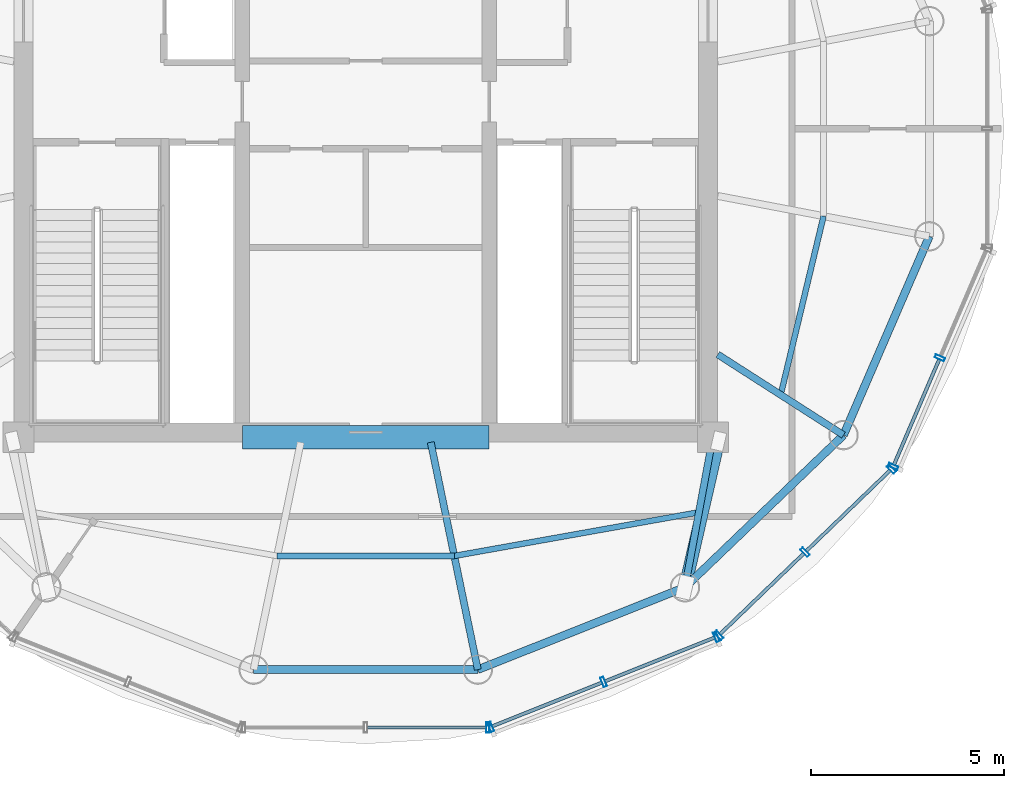
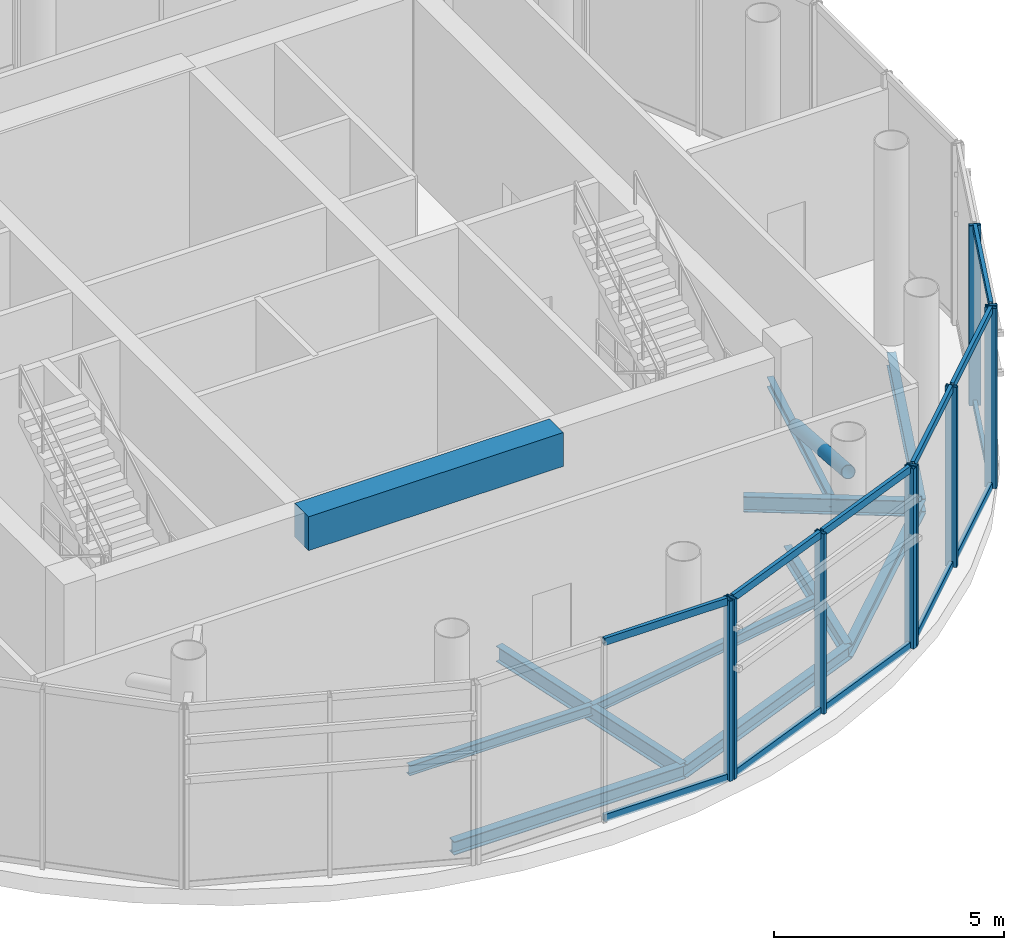
# One storey, part 4 of 14: 22 members, 11 beams, 4 elements without a shape of their own.
"""IFC4 building model written with IfcOpenShell, lengths in metres."""

from ifc_helpers import new_model, si_unit, direction, frame, origin, origin_2d, place, context, subcontext, project, spatial, rectangle, hollow_rectangle, hollow_circle, i_section, extrude, source, transform, mapped, material, material_profile, profile_set, type_object, element, aggregate, save


model = new_model("IFC4")

# Units and contexts
model_context = context("Model", 3, precision=1e-05, world=origin(), true_north=direction((-0.2419218956, 0.970295726276)))
body_context = subcontext(model_context, "Body", "Model", "MODEL_VIEW")
ifc_project = project(units=[si_unit("LENGTHUNIT", "METRE"), si_unit("AREAUNIT", "SQUARE_METRE"), si_unit("VOLUMEUNIT", "CUBIC_METRE"), si_unit("PLANEANGLEUNIT", "RADIAN"), si_unit("MASSUNIT", "GRAM", prefix="KILO")], contexts=[model_context])

# Site, building, storey
site_placement = place(None, origin())
site = spatial("IfcSite", under=ifc_project, at=site_placement, CompositionType="ELEMENT")
building_placement = place(site_placement, origin())
building = spatial("IfcBuilding", under=site, at=building_placement, Name="Cobrevalo Terracotta Tower", CompositionType="ELEMENT")
storey_placement = place(building_placement, frame((0.0, 0.0, 326.89990234375)))
storey = spatial("IfcBuildingStorey", under=building, at=storey_placement, Name="L84", CompositionType="ELEMENT", Elevation=326.89990234375)

# Beams
ifc_material_1 = material(Name="Concrete C60", Category="concrete")
ifc_material_profile_1 = material_profile(ifc_material_1, rectangle(XDim=0.60009765625, YDim=0.89990234375, at=origin_2d()), Name="RC CB 600x900")
ifc_profile_set_1 = profile_set([ifc_material_profile_1], Name="Concrete C60")
beam_type_1 = type_object("IfcBeamType", Name="Structural Beam RC CB 600x900 (Concrete C60)", PredefinedType="BEAM", material=ifc_profile_set_1)
beam_1_placement = place(storey_placement, frame((34.800048828125, 18.800048828125, 4.330078125), z_axis=(1.0, 0.0, 0.0), x_axis=(0.0, 1.0, 0.0)))
element("IfcBeam", 1, at=beam_1_placement, inside=storey, type_object=beam_type_1, Name="L84 core coupling beam 1", PredefinedType="BEAM", context=body_context, shape_type="SweptSolid", body=[
    extrude(rectangle(XDim=0.60009765625, YDim=0.89990234375, at=origin_2d()), origin(), (0.0, 0.0, 1.0), 6.39990234375),
])
ifc_material_2 = material(Name="Steel S355", Category="steel")
ifc_material_profile_2 = material_profile(ifc_material_2, i_section(OverallWidth=0.179931640625, OverallDepth=0.4130859375, WebThickness=0.009765625, FlangeThickness=0.01611328125, at=origin_2d()), Name="W 410x75")
ifc_profile_set_2 = profile_set([ifc_material_profile_2], Name="Steel S355")
beam_type_2 = type_object("IfcBeamType", Name="Structural Beam W 410x75 (Steel S355)", PredefinedType="BEAM", material=ifc_profile_set_2)
beam_2_placement = place(storey_placement, frame((40.90673828125, 12.774658203125, -0.62646484375), z_axis=(-0.202919370173, 0.979195449953, 0.0), x_axis=(-0.979195449953, -0.202919370173, 0.0)))
element("IfcBeam", 2, at=beam_2_placement, inside=storey, type_object=beam_type_2, Name="L84 radial floor girder 13", PredefinedType="BEAM", context=body_context, shape_type="SweptSolid", body=[
    extrude(i_section(OverallWidth=0.179931640625, OverallDepth=0.4130859375, WebThickness=0.009765625, FlangeThickness=0.01611328125, at=origin_2d()), origin(), (0.0, 0.0, 1.0), 6.0205078125),
])
beam_3_placement = place(storey_placement, frame((46.278076171875, 14.909912109375, -0.62646484375), z_axis=(0.182462670706, 0.983212781548, 0.0), x_axis=(-0.983212781548, 0.182462670706, 0.0)))
element("IfcBeam", 3, at=beam_3_placement, inside=storey, type_object=beam_type_2, Name="L84 radial floor girder 14", PredefinedType="BEAM", context=body_context, shape_type="SweptSolid", body=[
    extrude(i_section(OverallWidth=0.179931640625, OverallDepth=0.4130859375, WebThickness=0.009765625, FlangeThickness=0.01611328125, at=origin_2d()), origin(), (0.0, 0.0, 1.0), 3.95654296875),
])
beam_4_placement = place(storey_placement, frame((50.388916015625, 18.855224609375, -0.62646484375), z_axis=(-0.841794646381, 0.539797900444, 0.0), x_axis=(-0.539797900444, -0.841794646381, 0.0)))
element("IfcBeam", 4, at=beam_4_placement, inside=storey, type_object=beam_type_2, Name="L84 radial floor girder 15", PredefinedType="BEAM", context=body_context, shape_type="SweptSolid", body=[
    extrude(i_section(OverallWidth=0.179931640625, OverallDepth=0.4130859375, WebThickness=0.009765625, FlangeThickness=0.01611328125, at=origin_2d()), origin(), (0.0, 0.0, 1.0), 3.87158203125),
])
ifc_material_profile_3 = material_profile(ifc_material_2, i_section(OverallWidth=0.14794921875, OverallDepth=0.26611328125, WebThickness=0.007568359375, FlangeThickness=0.012939453125, at=origin_2d()), Name="W 250x44.8")
ifc_profile_set_3 = profile_set([ifc_material_profile_3], Name="Steel S355")
beam_type_3 = type_object("IfcBeamType", Name="Structural Joist W 250x44.8 (Steel S355)", PredefinedType="JOIST", material=ifc_profile_set_3)
beam_5_placement = place(storey_placement, frame((35.7041015625, 15.722412109375, -0.552978515625), z_axis=(1.0, 0.0, 0.0), x_axis=(0.0, 1.0, 0.0)))
element("IfcBeam", 5, at=beam_5_placement, inside=storey, type_object=beam_type_3, Name="L84 circumferential secondary floor joist 12", PredefinedType="JOIST", context=body_context, shape_type="SweptSolid", body=[
    extrude(i_section(OverallWidth=0.14794921875, OverallDepth=0.26611328125, WebThickness=0.007568359375, FlangeThickness=0.012939453125, at=origin_2d()), origin(), (0.0, 0.0, 1.0), 4.591796875),
])
beam_6_placement = place(storey_placement, frame((40.2958984375, 15.722412109375, -0.552978515625), z_axis=(0.984430619707, 0.175773590117, 0.0), x_axis=(-0.175773590117, 0.984430619707, 0.0)))
element("IfcBeam", 6, at=beam_6_placement, inside=storey, type_object=beam_type_3, Name="L84 circumferential secondary floor joist 13", PredefinedType="JOIST", context=body_context, shape_type="SweptSolid", body=[
    extrude(i_section(OverallWidth=0.14794921875, OverallDepth=0.26611328125, WebThickness=0.007568359375, FlangeThickness=0.012939453125, at=origin_2d()), origin(), (0.0, 0.0, 1.0), 6.443359375),
])
beam_7_placement = place(storey_placement, frame((48.759521484375, 19.900146484375, -0.552978515625), z_axis=(0.233423333819, 0.972375209078, 0.0), x_axis=(-0.972375209078, 0.233423333819, 0.0)))
element("IfcBeam", 7, at=beam_7_placement, inside=storey, type_object=beam_type_3, Name="L84 circumferential secondary floor joist 15", PredefinedType="JOIST", context=body_context, shape_type="SweptSolid", body=[
    extrude(i_section(OverallWidth=0.14794921875, OverallDepth=0.26611328125, WebThickness=0.007568359375, FlangeThickness=0.012939453125, at=origin_2d()), origin(), (0.0, 0.0, 1.0), 4.76513671875),
])
ifc_material_profile_4 = material_profile(ifc_material_2, i_section(OverallWidth=0.205078125, OverallDepth=0.35400390625, WebThickness=0.009521484375, FlangeThickness=0.016845703125, at=origin_2d()), Name="W 360x79")
ifc_profile_set_4 = profile_set([ifc_material_profile_4], Name="Steel S355")
beam_type_4 = type_object("IfcBeamType", Name="Structural Spandrel W 360x79 (Steel S355)", PredefinedType="SPANDREL", material=ifc_profile_set_4)
beam_8_placement = place(storey_placement, frame((35.09326171875, 12.774658203125, -0.596923828125), z_axis=(1.0, 0.0, 0.0), x_axis=(0.0, 1.0, 0.0)))
element("IfcBeam", 8, at=beam_8_placement, inside=storey, type_object=beam_type_4, Name="L84 perimeter ring spandrel 12", PredefinedType="SPANDREL", context=body_context, shape_type="SweptSolid", body=[
    extrude(i_section(OverallWidth=0.205078125, OverallDepth=0.35400390625, WebThickness=0.009521484375, FlangeThickness=0.016845703125, at=origin_2d()), origin(), (0.0, 0.0, 1.0), 5.8134765625),
])
beam_9_placement = place(storey_placement, frame((40.90673828125, 12.774658203125, -0.596923828125), z_axis=(0.929266894942, 0.369409038824, 0.0), x_axis=(-0.369409038824, 0.929266894942, 0.0)))
element("IfcBeam", 9, at=beam_9_placement, inside=storey, type_object=beam_type_4, Name="L84 perimeter ring spandrel 13", PredefinedType="SPANDREL", context=body_context, shape_type="SweptSolid", body=[
    extrude(i_section(OverallWidth=0.205078125, OverallDepth=0.35400390625, WebThickness=0.009521484375, FlangeThickness=0.016845703125, at=origin_2d()), origin(), (0.0, 0.0, 1.0), 5.7802734375),
])
beam_10_placement = place(storey_placement, frame((46.278076171875, 14.909912109375, -0.596923828125), z_axis=(0.72148321486, 0.69243192494, 0.0), x_axis=(-0.69243192494, 0.72148321486, 0.0)))
element("IfcBeam", 10, at=beam_10_placement, inside=storey, type_object=beam_type_4, Name="L84 perimeter ring spandrel 14", PredefinedType="SPANDREL", context=body_context, shape_type="SweptSolid", body=[
    extrude(i_section(OverallWidth=0.205078125, OverallDepth=0.35400390625, WebThickness=0.009521484375, FlangeThickness=0.016845703125, at=origin_2d()), origin(), (0.0, 0.0, 1.0), 5.69775390625),
])
beam_11_placement = place(storey_placement, frame((50.388916015625, 18.855224609375, -0.596923828125), z_axis=(0.396258594602, 0.918138947112, 0.0), x_axis=(-0.918138947112, 0.396258594602, 0.0)))
element("IfcBeam", 11, at=beam_11_placement, inside=storey, type_object=beam_type_4, Name="L84 perimeter ring spandrel 15", PredefinedType="SPANDREL", context=body_context, shape_type="SweptSolid", body=[
    extrude(i_section(OverallWidth=0.205078125, OverallDepth=0.35400390625, WebThickness=0.009521484375, FlangeThickness=0.016845703125, at=origin_2d()), origin(), (0.0, 0.0, 1.0), 5.61474609375),
])

# Member
ifc_material_profile_5 = material_profile(ifc_material_2, hollow_circle(Radius=0.162109375, WallThickness=0.013916015625, at=origin_2d()), Name="CHS 324x14")
ifc_profile_set_5 = profile_set([ifc_material_profile_5], Name="Steel S355")
member_type_1 = type_object("IfcMemberType", Name="Steel Brace CHS 324x14 (Steel S355)", PredefinedType="BRACE", material=ifc_profile_set_5)
shared_shape_1 = source(origin(), body_context, "Body", "SweptSolid", [
    extrude(hollow_circle(Radius=0.162109375, WallThickness=0.013916015625, at=origin_2d()), origin(), (0.0, 0.0, 1.0), 4.126708984375),
])
member_1_placement = place(storey_placement, frame((47.14990234375, 18.699951171875, 2.75), z_axis=(-0.211267372013, -0.918430322917, 0.334442580227), x_axis=(0.974548603832, -0.224176311794, 0.0)))
element("IfcMember", 12, at=member_1_placement, inside=storey, type_object=member_type_1, Name="L84 CROWN FRAME radial brace 04", PredefinedType="BRACE", context=body_context, shape_type="MappedRepresentation", body=[
    mapped(shared_shape_1, transform((0.0, 0.0, 0.0), scale=1.0)),
])

# Curtain wall, member
ifc_material_3 = material(Name="Anodized aluminium", Category="aluminium")
curtain_wall_type = type_object("IfcCurtainWallType", Name="Faceted glass-point crown structural glazing system CW-CR", PredefinedType="NOTDEFINED", material=ifc_material_3)
curtain_wall_1_placement = place(storey_placement, origin())
curtain_wall_1 = element("IfcCurtainWall", 13, at=curtain_wall_1_placement, inside=storey, type_object=curtain_wall_type, Name="L84 curtain wall CW-CRN-L84-S12", PredefinedType="NOTDEFINED")
ifc_material_profile_6 = material_profile(ifc_material_3, hollow_rectangle(XDim=0.090087890625, YDim=0.260009765625, WallThickness=0.006103515625, at=origin_2d()), Name="CWM 90x260")
ifc_profile_set_6 = profile_set([ifc_material_profile_6], Name="Anodized aluminium")
member_type_2 = type_object("IfcMemberType", Name="Crown structural glass mullion 90x260", PredefinedType="MULLION", material=ifc_profile_set_6)
shared_shape_2 = source(origin(), body_context, "Body", "SweptSolid", [
    extrude(hollow_rectangle(XDim=0.090087890625, YDim=0.260009765625, WallThickness=0.006103515625, at=origin_2d()), origin(), (0.0, 0.0, 1.0), 4.780029296875),
])
member_2_placement = place(storey_placement, frame((41.165283203125, 11.274169921875, 0.0), z_axis=(0.0, 0.0, 1.0), x_axis=(1.0, 0.0, 0.0)))
member_2 = element("IfcMember", 14, at=member_2_placement, type_object=member_type_2, Name="CW-CRN-L84-S12 vertical mullion 03", PredefinedType="MULLION", context=body_context, shape_type="MappedRepresentation", body=[
    mapped(shared_shape_2, transform((0.0, 0.0, 0.0), scale=1.0)),
])

# Curtain wall, members
curtain_wall_2_placement = place(storey_placement, origin())
curtain_wall_2 = element("IfcCurtainWall", 15, at=curtain_wall_2_placement, inside=storey, type_object=curtain_wall_type, Name="L84 curtain wall CW-CRN-L84-S13", PredefinedType="NOTDEFINED")
member_3_placement = place(storey_placement, frame((41.242431640625, 11.2890625, 0.0), z_axis=(0.0, 0.0, 1.0), x_axis=(0.928770743095, 0.370654700187, 0.0)))
member_3 = element("IfcMember", 16, at=member_3_placement, type_object=member_type_2, Name="CW-CRN-L84-S13 vertical mullion 01", PredefinedType="MULLION", context=body_context, shape_type="MappedRepresentation", body=[
    mapped(shared_shape_2, transform((0.0, 0.0, 0.0), scale=1.0)),
])
member_4_placement = place(storey_placement, frame((44.166748046875, 12.4560546875, 0.0), z_axis=(0.0, 0.0, 1.0), x_axis=(0.928770743095, 0.370654700187, 0.0)))
member_4 = element("IfcMember", 17, at=member_4_placement, type_object=member_type_2, Name="CW-CRN-L84-S13 vertical mullion 02", PredefinedType="MULLION", context=body_context, shape_type="MappedRepresentation", body=[
    mapped(shared_shape_2, transform((0.0, 0.0, 0.0), scale=1.0)),
])
member_5_placement = place(storey_placement, frame((47.0908203125, 13.623046875, 0.0), z_axis=(0.0, 0.0, 1.0), x_axis=(0.928770743095, 0.370654700187, 0.0)))
member_5 = element("IfcMember", 18, at=member_5_placement, type_object=member_type_2, Name="CW-CRN-L84-S13 vertical mullion 03", PredefinedType="MULLION", context=body_context, shape_type="MappedRepresentation", body=[
    mapped(shared_shape_2, transform((0.0, 0.0, 0.0), scale=1.0)),
])

curtain_wall_3_placement = place(storey_placement, origin())
curtain_wall_3 = element("IfcCurtainWall", 19, at=curtain_wall_3_placement, inside=storey, type_object=curtain_wall_type, Name="L84 curtain wall CW-CRN-L84-S14", PredefinedType="NOTDEFINED")
member_6_placement = place(storey_placement, frame((47.15673828125, 13.66552734375, 0.0), z_axis=(0.0, 0.0, 1.0), x_axis=(0.72013951191, 0.693829289801, 0.0)))
member_6 = element("IfcMember", 20, at=member_6_placement, type_object=member_type_2, Name="CW-CRN-L84-S14 vertical mullion 01", PredefinedType="MULLION", context=body_context, shape_type="MappedRepresentation", body=[
    mapped(shared_shape_2, transform((0.0, 0.0, 0.0), scale=1.0)),
])
member_7_placement = place(storey_placement, frame((49.39453125, 15.821533203125, 0.0), z_axis=(0.0, 0.0, 1.0), x_axis=(0.72013951191, 0.693829289801, 0.0)))
member_7 = element("IfcMember", 21, at=member_7_placement, type_object=member_type_2, Name="CW-CRN-L84-S14 vertical mullion 02", PredefinedType="MULLION", context=body_context, shape_type="MappedRepresentation", body=[
    mapped(shared_shape_2, transform((0.0, 0.0, 0.0), scale=1.0)),
])
member_8_placement = place(storey_placement, frame((51.63232421875, 17.9775390625, 0.0), z_axis=(0.0, 0.0, 1.0), x_axis=(0.72013951191, 0.693829289801, 0.0)))
member_8 = element("IfcMember", 22, at=member_8_placement, type_object=member_type_2, Name="CW-CRN-L84-S14 vertical mullion 03", PredefinedType="MULLION", context=body_context, shape_type="MappedRepresentation", body=[
    mapped(shared_shape_2, transform((0.0, 0.0, 0.0), scale=1.0)),
])

curtain_wall_4_placement = place(storey_placement, origin())
curtain_wall_4 = element("IfcCurtainWall", 23, at=curtain_wall_4_placement, inside=storey, type_object=curtain_wall_type, Name="L84 curtain wall CW-CRN-L84-S15", PredefinedType="NOTDEFINED")
member_9_placement = place(storey_placement, frame((51.6767578125, 18.0419921875, 0.0), z_axis=(0.0, 0.0, 1.0), x_axis=(0.394968347643, 0.918694728602, 0.0)))
member_9 = element("IfcMember", 24, at=member_9_placement, type_object=member_type_2, Name="CW-CRN-L84-S15 vertical mullion 01", PredefinedType="MULLION", context=body_context, shape_type="MappedRepresentation", body=[
    mapped(shared_shape_2, transform((0.0, 0.0, 0.0), scale=1.0)),
])
member_10_placement = place(storey_placement, frame((52.8876953125, 20.858642578125, 0.0), z_axis=(0.0, 0.0, 1.0), x_axis=(0.394968347643, 0.918694728602, 0.0)))
member_10 = element("IfcMember", 25, at=member_10_placement, type_object=member_type_2, Name="CW-CRN-L84-S15 vertical mullion 02", PredefinedType="MULLION", context=body_context, shape_type="MappedRepresentation", body=[
    mapped(shared_shape_2, transform((0.0, 0.0, 0.0), scale=1.0)),
])
ifc_material_profile_7 = material_profile(ifc_material_3, hollow_rectangle(XDim=0.090087890625, YDim=0.195068359375, WallThickness=0.005615234375, at=origin_2d()), Name="CWT 90x195")
ifc_profile_set_7 = profile_set([ifc_material_profile_7], Name="Anodized aluminium")
member_type_3 = type_object("IfcMemberType", Name="Crown structural aluminium transom 90x195", PredefinedType="USERDEFINED", material=ifc_profile_set_7)
shared_shape_3 = source(origin(), body_context, "Body", "SweptSolid", [
    extrude(hollow_rectangle(XDim=0.090087890625, YDim=0.195068359375, WallThickness=0.005615234375, at=origin_2d()), origin(), (0.0, 0.0, 1.0), 2.985595703125),
])
member_11_placement = place(storey_placement, frame((51.692626953125, 18.078857421875, 0.050048828125), z_axis=(0.39495528775, 0.918700343245, 0.0), x_axis=(-0.918700343245, 0.39495528775, 0.0)))
member_11 = element("IfcMember", 26, at=member_11_placement, type_object=member_type_3, Name="CW-CRN-L84-S15 transom B01-T1", ObjectType="TRANSOM", PredefinedType="USERDEFINED", context=body_context, shape_type="MappedRepresentation", body=[
    mapped(shared_shape_3, transform((0.0, 0.0, 0.0), scale=1.0)),
])
member_12_placement = place(storey_placement, frame((51.692626953125, 18.078857421875, 4.72998046875), z_axis=(0.39495528775, 0.918700343245, 0.0), x_axis=(-0.918700343245, 0.39495528775, 0.0)))
member_12 = element("IfcMember", 27, at=member_12_placement, type_object=member_type_3, Name="CW-CRN-L84-S15 transom B01-T2", ObjectType="TRANSOM", PredefinedType="USERDEFINED", context=body_context, shape_type="MappedRepresentation", body=[
    mapped(shared_shape_3, transform((0.0, 0.0, 0.0), scale=1.0)),
])
aggregate(curtain_wall_4, [member_9, member_10, member_11, member_12])

# Member
shared_shape_4 = source(origin(), body_context, "Body", "SweptSolid", [
    extrude(hollow_rectangle(XDim=0.090087890625, YDim=0.195068359375, WallThickness=0.005615234375, at=origin_2d()), origin(), (0.0, 0.0, 1.0), 3.027587890625),
])
member_13_placement = place(storey_placement, frame((47.185546875, 13.693359375, 0.050048828125), z_axis=(0.720129171854, 0.693840021795, 0.0), x_axis=(-0.693840021795, 0.720129171854, 0.0)))
member_13 = element("IfcMember", 28, at=member_13_placement, type_object=member_type_3, Name="CW-CRN-L84-S14 transom B01-T1", ObjectType="TRANSOM", PredefinedType="USERDEFINED", context=body_context, shape_type="MappedRepresentation", body=[
    mapped(shared_shape_4, transform((0.0, 0.0, 0.0), scale=1.0)),
])

member_14_placement = place(storey_placement, frame((47.185546875, 13.693359375, 4.72998046875), z_axis=(0.720129171854, 0.693840021795, 0.0), x_axis=(-0.693840021795, 0.720129171854, 0.0)))
member_14 = element("IfcMember", 29, at=member_14_placement, type_object=member_type_3, Name="CW-CRN-L84-S14 transom B01-T2", ObjectType="TRANSOM", PredefinedType="USERDEFINED", context=body_context, shape_type="MappedRepresentation", body=[
    mapped(shared_shape_4, transform((0.0, 0.0, 0.0), scale=1.0)),
])

shared_shape_5 = source(origin(), body_context, "Body", "SweptSolid", [
    extrude(hollow_rectangle(XDim=0.090087890625, YDim=0.195068359375, WallThickness=0.005615234375, at=origin_2d()), origin(), (0.0, 0.0, 1.0), 3.068359375),
])
member_15_placement = place(storey_placement, frame((44.203857421875, 12.470947265625, 0.050048828125), z_axis=(0.928783665668, 0.370622317715, 0.0), x_axis=(-0.370622317715, 0.928783665668, 0.0)))
member_15 = element("IfcMember", 30, at=member_15_placement, type_object=member_type_3, Name="CW-CRN-L84-S13 transom B02-T1", ObjectType="TRANSOM", PredefinedType="USERDEFINED", context=body_context, shape_type="MappedRepresentation", body=[
    mapped(shared_shape_5, transform((0.0, 0.0, 0.0), scale=1.0)),
])

member_16_placement = place(storey_placement, frame((44.203857421875, 12.470947265625, 4.72998046875), z_axis=(0.928783665668, 0.370622317715, 0.0), x_axis=(-0.370622317715, 0.928783665668, 0.0)))
member_16 = element("IfcMember", 31, at=member_16_placement, type_object=member_type_3, Name="CW-CRN-L84-S13 transom B02-T2", ObjectType="TRANSOM", PredefinedType="USERDEFINED", context=body_context, shape_type="MappedRepresentation", body=[
    mapped(shared_shape_5, transform((0.0, 0.0, 0.0), scale=1.0)),
])

shared_shape_6 = source(origin(), body_context, "Body", "SweptSolid", [
    extrude(hollow_rectangle(XDim=0.090087890625, YDim=0.195068359375, WallThickness=0.005615234375, at=origin_2d()), origin(), (0.0, 0.0, 1.0), 3.068603515625),
])
member_17_placement = place(storey_placement, frame((41.279541015625, 11.3037109375, 0.050048828125), z_axis=(0.928767206697, 0.370663561419, 0.0), x_axis=(-0.370663561419, 0.928767206697, 0.0)))
member_17 = element("IfcMember", 32, at=member_17_placement, type_object=member_type_3, Name="CW-CRN-L84-S13 transom B01-T1", ObjectType="TRANSOM", PredefinedType="USERDEFINED", context=body_context, shape_type="MappedRepresentation", body=[
    mapped(shared_shape_6, transform((0.0, 0.0, 0.0), scale=1.0)),
])

member_18_placement = place(storey_placement, frame((41.279541015625, 11.3037109375, 4.72998046875), z_axis=(0.928767206697, 0.370663561419, 0.0), x_axis=(-0.370663561419, 0.928767206697, 0.0)))
member_18 = element("IfcMember", 33, at=member_18_placement, type_object=member_type_3, Name="CW-CRN-L84-S13 transom B01-T2", ObjectType="TRANSOM", PredefinedType="USERDEFINED", context=body_context, shape_type="MappedRepresentation", body=[
    mapped(shared_shape_6, transform((0.0, 0.0, 0.0), scale=1.0)),
])

aggregate(curtain_wall_2, [member_3, member_4, member_5, member_17, member_18, member_15, member_16])

shared_shape_7 = source(origin(), body_context, "Body", "SweptSolid", [
    extrude(hollow_rectangle(XDim=0.090087890625, YDim=0.195068359375, WallThickness=0.005615234375, at=origin_2d()), origin(), (0.0, 0.0, 1.0), 3.085205078125),
])
member_19_placement = place(storey_placement, frame((38.0400390625, 11.274169921875, 0.050048828125), z_axis=(1.0, 0.0, 0.0), x_axis=(0.0, 1.0, 0.0)))
member_19 = element("IfcMember", 34, at=member_19_placement, type_object=member_type_3, Name="CW-CRN-L84-S12 transom B02-T1", ObjectType="TRANSOM", PredefinedType="USERDEFINED", context=body_context, shape_type="MappedRepresentation", body=[
    mapped(shared_shape_7, transform((0.0, 0.0, 0.0), scale=1.0)),
])

member_20_placement = place(storey_placement, frame((38.0400390625, 11.274169921875, 4.72998046875), z_axis=(1.0, 0.0, 0.0), x_axis=(0.0, 1.0, 0.0)))
member_20 = element("IfcMember", 35, at=member_20_placement, type_object=member_type_3, Name="CW-CRN-L84-S12 transom B02-T2", ObjectType="TRANSOM", PredefinedType="USERDEFINED", context=body_context, shape_type="MappedRepresentation", body=[
    mapped(shared_shape_7, transform((0.0, 0.0, 0.0), scale=1.0)),
])

aggregate(curtain_wall_1, [member_2, member_19, member_20])

shared_shape_8 = source(origin(), body_context, "Body", "SweptSolid", [
    extrude(hollow_rectangle(XDim=0.090087890625, YDim=0.195068359375, WallThickness=0.005615234375, at=origin_2d()), origin(), (0.0, 0.0, 1.0), 3.02734375),
])
member_21_placement = place(storey_placement, frame((49.42333984375, 15.849365234375, 0.050048828125), z_axis=(0.72016946581, 0.693798198697, 0.0), x_axis=(-0.693798198697, 0.72016946581, 0.0)))
member_21 = element("IfcMember", 36, at=member_21_placement, type_object=member_type_3, Name="CW-CRN-L84-S14 transom B02-T1", ObjectType="TRANSOM", PredefinedType="USERDEFINED", context=body_context, shape_type="MappedRepresentation", body=[
    mapped(shared_shape_8, transform((0.0, 0.0, 0.0), scale=1.0)),
])

member_22_placement = place(storey_placement, frame((49.42333984375, 15.849365234375, 4.72998046875), z_axis=(0.72016946581, 0.693798198697, 0.0), x_axis=(-0.693798198697, 0.72016946581, 0.0)))
member_22 = element("IfcMember", 37, at=member_22_placement, type_object=member_type_3, Name="CW-CRN-L84-S14 transom B02-T2", ObjectType="TRANSOM", PredefinedType="USERDEFINED", context=body_context, shape_type="MappedRepresentation", body=[
    mapped(shared_shape_8, transform((0.0, 0.0, 0.0), scale=1.0)),
])

aggregate(curtain_wall_3, [member_6, member_7, member_8, member_13, member_14, member_21, member_22])

save(model, "model.ifc")
